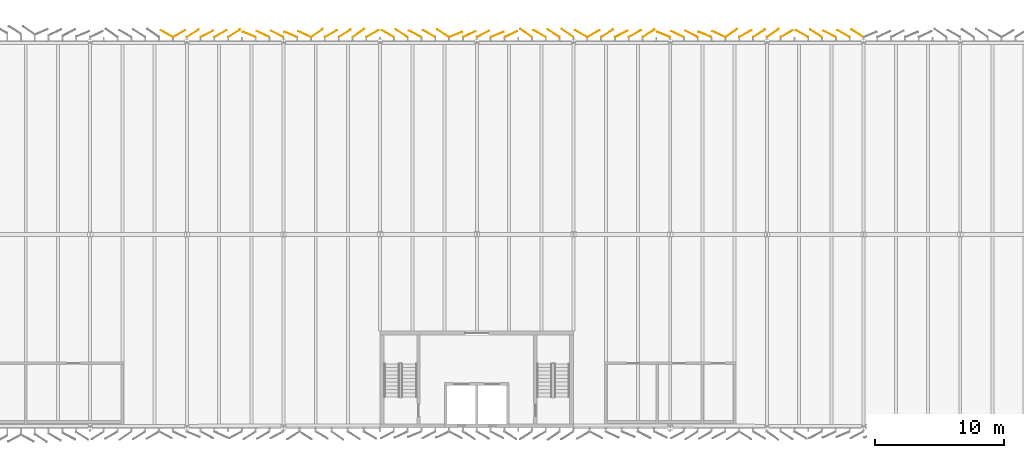
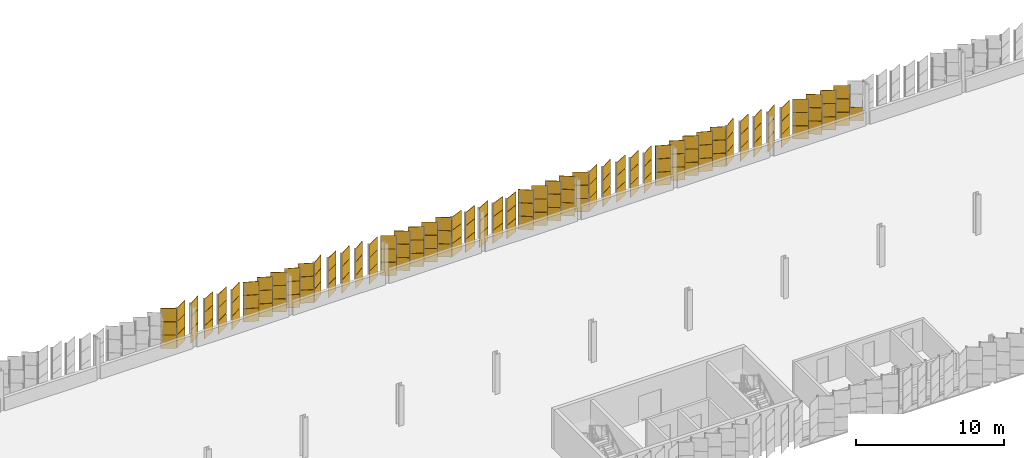
# One storey, part 212 of 214: 151 coverings.
"""IFC4 building model written with IfcOpenShell, lengths in metres."""

from ifc_helpers import new_model, si_unit, direction, frame, origin, origin_2d, place, context, subcontext, project, spatial, rectangle, extrude, material, layer, layer_set, type_object, element, save


model = new_model("IFC4")

# Units and contexts
model_context = context("Model", 3, precision=1e-05, world=origin(), true_north=direction((0.0, 1.0)))
body_context = subcontext(model_context, "Body", "Model", "MODEL_VIEW")
ifc_project = project(units=[si_unit("LENGTHUNIT", "METRE"), si_unit("AREAUNIT", "SQUARE_METRE"), si_unit("VOLUMEUNIT", "CUBIC_METRE"), si_unit("PLANEANGLEUNIT", "RADIAN"), si_unit("MASSUNIT", "GRAM", prefix="KILO")], contexts=[model_context])

# Site, building, storey
site_placement = place(None, origin())
site = spatial("IfcSite", under=ifc_project, at=site_placement, CompositionType="ELEMENT")
building_placement = place(site_placement, origin())
building = spatial("IfcBuilding", under=site, at=building_placement, Name="Parallax Yard Mobility Hub", CompositionType="ELEMENT")
storey_placement = place(building_placement, frame((0.0, 0.0, 3.300048828125)))
storey = spatial("IfcBuildingStorey", under=building, at=storey_placement, Name="L01", CompositionType="ELEMENT", Elevation=3.300048828125)

# Coverings
ifc_material_1 = material(Name="Aluminium panel, light oak finish", Category="aluminium")
ifc_layer_1 = layer(ifc_material_1, 0.030029296875)
ifc_layer_set_1 = layer_set([ifc_layer_1], Name="Skin panel 22.5 degree turn, oak finish")
covering_type_1 = type_object("IfcCoveringType", Name="Skin panel 22.5 degree turn, oak finish", PredefinedType="CLADDING", material=ifc_layer_set_1)
for number, where, z_axis, x_axis, name in (
    (1, (92.69287109375, 143.012939453125, 1.119873046875), (0.0, 0.0, 1.0), (-0.923879532511, 0.382683432365, 0.0), "Skin panel 22.5 bay 61.5 row 2 level L01"),
    (2, (92.69287109375, 143.012939453125, 2.219970703125), (0.0, 0.0, 1.0), (-0.923879532511, 0.382683432365, 0.0), "Skin panel 22.5 bay 61.5 row 3 level L01"),
    (3, (89.47802734375, 143.012939453125, 1.119873046875), (0.0, 0.0, 1.0), (-0.923879532511, 0.382683432365, 0.0), "Skin panel 22.5 bay 62.1 row 2 level L01"),
    (4, (89.47802734375, 143.012939453125, 2.219970703125), (0.0, 0.0, 1.0), (-0.923879532511, 0.382683432365, 0.0), "Skin panel 22.5 bay 62.1 row 3 level L01"),
    (5, (76.575927734375, 143.012939453125, 1.119873046875), (0.0, 0.0, 1.0), (0.923879532511, 0.382683432365, 0.0), "Skin panel 22.5 bay 63.6 row 2 level L01"),
    (6, (76.575927734375, 143.012939453125, 2.219970703125), (0.0, 0.0, 1.0), (0.923879532511, 0.382683432365, 0.0), "Skin panel 22.5 bay 63.6 row 3 level L01"),
    (7, (73.361083984375, 143.012939453125, 1.119873046875), (0.0, 0.0, 1.0), (0.923879532511, 0.382683432365, 0.0), "Skin panel 22.5 bay 64.2 row 2 level L01"),
    (8, (73.361083984375, 143.012939453125, 2.219970703125), (0.0, 0.0, 1.0), (0.923879532511, 0.382683432365, 0.0), "Skin panel 22.5 bay 64.2 row 3 level L01"),
    (9, (60.546142578125, 143.012939453125, 1.119873046875), (0.0, 0.0, 1.0), (-0.923879532511, 0.382683432365, 0.0), "Skin panel 22.5 bay 65.7 row 2 level L01"),
    (10, (60.546142578125, 143.012939453125, 2.219970703125), (0.0, 0.0, 1.0), (-0.923879532511, 0.382683432365, 0.0), "Skin panel 22.5 bay 65.7 row 3 level L01"),
    (11, (57.331298828125, 143.012939453125, 1.119873046875), (0.0, 0.0, 1.0), (-0.923879532511, 0.382683432365, 0.0), "Skin panel 22.5 bay 66.3 row 2 level L01"),
    (12, (57.331298828125, 143.012939453125, 2.219970703125), (0.0, 0.0, 1.0), (-0.923879532511, 0.382683432365, 0.0), "Skin panel 22.5 bay 66.3 row 3 level L01"),
):
    element("IfcCovering", number, at=place(storey_placement, frame(where, z_axis=z_axis, x_axis=x_axis)), inside=storey, type_object=covering_type_1, Name=name, ObjectType="SCREEN", PredefinedType="CLADDING", context=body_context, shape_type="SweptSolid", body=[
        extrude(rectangle(XDim=1.080078125, YDim=0.030029296875, at=origin_2d()), origin(), (0.0, 0.0, 1.0), 1.080078125),
    ])
ifc_material_2 = material(Name="Aluminium panel, walnut finish", Category="aluminium")
ifc_layer_2 = layer(ifc_material_2, 0.030029296875)
ifc_layer_set_2 = layer_set([ifc_layer_2], Name="Skin panel 22.5 degree turn, walnut finish")
covering_type_2 = type_object("IfcCoveringType", Name="Skin panel 22.5 degree turn, walnut finish", PredefinedType="CLADDING", material=ifc_layer_set_2)
for number, where, z_axis, x_axis, name in (
    (13, (92.69287109375, 143.012939453125, 0.02001953125), (0.0, 0.0, 1.0), (-0.923879532511, 0.382683432365, 0.0), "Skin panel 22.5 bay 61.5 row 1 level L01"),
    (14, (89.47802734375, 143.012939453125, 0.02001953125), (0.0, 0.0, 1.0), (-0.923879532511, 0.382683432365, 0.0), "Skin panel 22.5 bay 62.1 row 1 level L01"),
    (15, (76.575927734375, 143.012939453125, 0.02001953125), (0.0, 0.0, 1.0), (0.923879532511, 0.382683432365, 0.0), "Skin panel 22.5 bay 63.6 row 1 level L01"),
    (16, (73.361083984375, 143.012939453125, 0.02001953125), (0.0, 0.0, 1.0), (0.923879532511, 0.382683432365, 0.0), "Skin panel 22.5 bay 64.2 row 1 level L01"),
    (17, (60.546142578125, 143.012939453125, 0.02001953125), (0.0, 0.0, 1.0), (-0.923879532511, 0.382683432365, 0.0), "Skin panel 22.5 bay 65.7 row 1 level L01"),
    (18, (57.331298828125, 143.012939453125, 0.02001953125), (0.0, 0.0, 1.0), (-0.923879532511, 0.382683432365, 0.0), "Skin panel 22.5 bay 66.3 row 1 level L01"),
):
    element("IfcCovering", number, at=place(storey_placement, frame(where, z_axis=z_axis, x_axis=x_axis)), inside=storey, type_object=covering_type_2, Name=name, ObjectType="SCREEN", PredefinedType="CLADDING", context=body_context, shape_type="SweptSolid", body=[
        extrude(rectangle(XDim=1.080078125, YDim=0.030029296875, at=origin_2d()), origin(), (0.0, 0.0, 1.0), 1.080078125),
    ])
ifc_layer_3 = layer(ifc_material_1, 0.030029296875)
ifc_layer_set_3 = layer_set([ifc_layer_3], Name="Skin panel 25 degree turn, oak finish")
covering_type_3 = type_object("IfcCoveringType", Name="Skin panel 25 degree turn, oak finish", PredefinedType="CLADDING", material=ifc_layer_set_3)
for number, where, z_axis, x_axis, name in (
    (19, (93.774169921875, 143.03515625, 1.119873046875), (0.0, 0.0, 1.0), (-0.906307787037, 0.422618261741, 0.0), "Skin panel 25 bay 61.4 row 2 level L01"),
    (20, (93.774169921875, 143.03515625, 2.219970703125), (0.0, 0.0, 1.0), (-0.906307787037, 0.422618261741, 0.0), "Skin panel 25 bay 61.4 row 3 level L01"),
    (21, (90.559326171875, 143.03515625, 1.119873046875), (0.0, 0.0, 1.0), (-0.906307787037, 0.422618261741, 0.0), "Skin panel 25 bay 61.7 row 2 level L01"),
    (22, (90.559326171875, 143.03515625, 2.219970703125), (0.0, 0.0, 1.0), (-0.906307787037, 0.422618261741, 0.0), "Skin panel 25 bay 61.7 row 3 level L01"),
    (23, (77.6376953125, 143.03515625, 1.119873046875), (0.0, 0.0, 1.0), (0.906307787037, 0.422618261741, 0.0), "Skin panel 25 bay 63.5 row 2 level L01"),
    (24, (77.6376953125, 143.03515625, 2.219970703125), (0.0, 0.0, 1.0), (0.906307787037, 0.422618261741, 0.0), "Skin panel 25 bay 63.5 row 3 level L01"),
    (25, (74.423095703125, 143.03515625, 1.119873046875), (0.0, 0.0, 1.0), (0.906307787037, 0.422618261741, 0.0), "Skin panel 25 bay 64.1 row 2 level L01"),
    (26, (74.423095703125, 143.03515625, 2.219970703125), (0.0, 0.0, 1.0), (0.906307787037, 0.422618261741, 0.0), "Skin panel 25 bay 64.1 row 3 level L01"),
    (27, (61.62744140625, 143.03515625, 1.119873046875), (0.0, 0.0, 1.0), (-0.906307787037, 0.422618261741, 0.0), "Skin panel 25 bay 65.6 row 2 level L01"),
    (28, (61.62744140625, 143.03515625, 2.219970703125), (0.0, 0.0, 1.0), (-0.906307787037, 0.422618261741, 0.0), "Skin panel 25 bay 65.6 row 3 level L01"),
    (29, (58.412841796875, 143.03515625, 1.119873046875), (0.0, 0.0, 1.0), (-0.906307787037, 0.422618261741, 0.0), "Skin panel 25 bay 66.2 row 2 level L01"),
    (30, (58.412841796875, 143.03515625, 2.219970703125), (0.0, 0.0, 1.0), (-0.906307787037, 0.422618261741, 0.0), "Skin panel 25 bay 66.2 row 3 level L01"),
):
    element("IfcCovering", number, at=place(storey_placement, frame(where, z_axis=z_axis, x_axis=x_axis)), inside=storey, type_object=covering_type_3, Name=name, ObjectType="SCREEN", PredefinedType="CLADDING", context=body_context, shape_type="SweptSolid", body=[
        extrude(rectangle(XDim=1.080078125, YDim=0.030029296875, at=origin_2d()), origin(), (0.0, 0.0, 1.0), 1.080078125),
    ])
ifc_layer_4 = layer(ifc_material_2, 0.030029296875)
ifc_layer_set_4 = layer_set([ifc_layer_4], Name="Skin panel 25 degree turn, walnut finish")
covering_type_4 = type_object("IfcCoveringType", Name="Skin panel 25 degree turn, walnut finish", PredefinedType="CLADDING", material=ifc_layer_set_4)
for number, where, z_axis, x_axis, name in (
    (31, (93.774169921875, 143.03515625, 0.02001953125), (0.0, 0.0, 1.0), (-0.906307787037, 0.422618261741, 0.0), "Skin panel 25 bay 61.4 row 1 level L01"),
    (32, (90.559326171875, 143.03515625, 0.02001953125), (0.0, 0.0, 1.0), (-0.906307787037, 0.422618261741, 0.0), "Skin panel 25 bay 61.7 row 1 level L01"),
    (33, (77.6376953125, 143.03515625, 0.02001953125), (0.0, 0.0, 1.0), (0.906307787037, 0.422618261741, 0.0), "Skin panel 25 bay 63.5 row 1 level L01"),
    (34, (74.423095703125, 143.03515625, 0.02001953125), (0.0, 0.0, 1.0), (0.906307787037, 0.422618261741, 0.0), "Skin panel 25 bay 64.1 row 1 level L01"),
    (35, (61.62744140625, 143.03515625, 0.02001953125), (0.0, 0.0, 1.0), (-0.906307787037, 0.422618261741, 0.0), "Skin panel 25 bay 65.6 row 1 level L01"),
    (36, (58.412841796875, 143.03515625, 0.02001953125), (0.0, 0.0, 1.0), (-0.906307787037, 0.422618261741, 0.0), "Skin panel 25 bay 66.2 row 1 level L01"),
):
    element("IfcCovering", number, at=place(storey_placement, frame(where, z_axis=z_axis, x_axis=x_axis)), inside=storey, type_object=covering_type_4, Name=name, ObjectType="SCREEN", PredefinedType="CLADDING", context=body_context, shape_type="SweptSolid", body=[
        extrude(rectangle(XDim=1.080078125, YDim=0.030029296875, at=origin_2d()), origin(), (0.0, 0.0, 1.0), 1.080078125),
    ])
ifc_layer_5 = layer(ifc_material_1, 0.030029296875)
ifc_layer_set_5 = layer_set([ifc_layer_5], Name="Skin panel 27.5 degree turn, oak finish")
covering_type_5 = type_object("IfcCoveringType", Name="Skin panel 27.5 degree turn, oak finish", PredefinedType="CLADDING", material=ifc_layer_set_5)
for number, where, z_axis, x_axis, name in (
    (37, (102.357421875, 143.056884765625, 1.119873046875), (0.0, 0.0, 1.0), (-0.887010833178, 0.461748613235, 0.0), "Skin panel 27.5 bay 60.3 row 2 level L01"),
    (38, (102.357421875, 143.056884765625, 2.219970703125), (0.0, 0.0, 1.0), (-0.887010833178, 0.461748613235, 0.0), "Skin panel 27.5 bay 60.3 row 3 level L01"),
    (39, (91.6416015625, 143.056884765625, 1.119873046875), (0.0, 0.0, 1.0), (-0.887010833178, 0.461748613235, 0.0), "Skin panel 27.5 bay 61.6 row 2 level L01"),
    (40, (91.6416015625, 143.056884765625, 2.219970703125), (0.0, 0.0, 1.0), (-0.887010833178, 0.461748613235, 0.0), "Skin panel 27.5 bay 61.6 row 3 level L01"),
    (41, (86.199462890625, 143.056884765625, 1.119873046875), (0.0, 0.0, 1.0), (0.887010833178, 0.461748613235, 0.0), "Skin panel 27.5 bay 62.4 row 2 level L01"),
    (42, (86.199462890625, 143.056884765625, 2.219970703125), (0.0, 0.0, 1.0), (0.887010833178, 0.461748613235, 0.0), "Skin panel 27.5 bay 62.4 row 3 level L01"),
    (43, (75.48388671875, 143.056884765625, 1.119873046875), (0.0, 0.0, 1.0), (0.887010833178, 0.461748613235, 0.0), "Skin panel 27.5 bay 63.7 row 2 level L01"),
    (44, (75.48388671875, 143.056884765625, 2.219970703125), (0.0, 0.0, 1.0), (0.887010833178, 0.461748613235, 0.0), "Skin panel 27.5 bay 63.7 row 3 level L01"),
    (45, (70.210693359375, 143.056884765625, 1.119873046875), (0.0, 0.0, 1.0), (-0.887010833178, 0.461748613235, 0.0), "Skin panel 27.5 bay 64.5 row 2 level L01"),
    (46, (70.210693359375, 143.056884765625, 2.219970703125), (0.0, 0.0, 1.0), (-0.887010833178, 0.461748613235, 0.0), "Skin panel 27.5 bay 64.5 row 3 level L01"),
    (47, (59.4951171875, 143.056884765625, 1.119873046875), (0.0, 0.0, 1.0), (-0.887010833178, 0.461748613235, 0.0), "Skin panel 27.5 bay 66.1 row 2 level L01"),
    (48, (59.4951171875, 143.056884765625, 2.219970703125), (0.0, 0.0, 1.0), (-0.887010833178, 0.461748613235, 0.0), "Skin panel 27.5 bay 66.1 row 3 level L01"),
    (49, (54.052734375, 143.056884765625, 1.119873046875), (0.0, 0.0, 1.0), (0.887010833178, 0.461748613235, 0.0), "Skin panel 27.5 bay 66.6 row 2 level L01"),
    (50, (54.052734375, 143.056884765625, 2.219970703125), (0.0, 0.0, 1.0), (0.887010833178, 0.461748613235, 0.0), "Skin panel 27.5 bay 66.6 row 3 level L01"),
):
    element("IfcCovering", number, at=place(storey_placement, frame(where, z_axis=z_axis, x_axis=x_axis)), inside=storey, type_object=covering_type_5, Name=name, ObjectType="SCREEN", PredefinedType="CLADDING", context=body_context, shape_type="SweptSolid", body=[
        extrude(rectangle(XDim=1.080078125, YDim=0.030029296875, at=origin_2d()), origin(), (0.0, 0.0, 1.0), 1.080078125),
    ])
ifc_layer_6 = layer(ifc_material_2, 0.030029296875)
ifc_layer_set_6 = layer_set([ifc_layer_6], Name="Skin panel 27.5 degree turn, walnut finish")
covering_type_6 = type_object("IfcCoveringType", Name="Skin panel 27.5 degree turn, walnut finish", PredefinedType="CLADDING", material=ifc_layer_set_6)
for number, where, z_axis, x_axis, name in (
    (51, (102.357421875, 143.056884765625, 0.02001953125), (0.0, 0.0, 1.0), (-0.887010833178, 0.461748613235, 0.0), "Skin panel 27.5 bay 60.3 row 1 level L01"),
    (52, (91.6416015625, 143.056884765625, 0.02001953125), (0.0, 0.0, 1.0), (-0.887010833178, 0.461748613235, 0.0), "Skin panel 27.5 bay 61.6 row 1 level L01"),
    (53, (86.199462890625, 143.056884765625, 0.02001953125), (0.0, 0.0, 1.0), (0.887010833178, 0.461748613235, 0.0), "Skin panel 27.5 bay 62.4 row 1 level L01"),
    (54, (75.48388671875, 143.056884765625, 0.02001953125), (0.0, 0.0, 1.0), (0.887010833178, 0.461748613235, 0.0), "Skin panel 27.5 bay 63.7 row 1 level L01"),
    (55, (70.210693359375, 143.056884765625, 0.02001953125), (0.0, 0.0, 1.0), (-0.887010833178, 0.461748613235, 0.0), "Skin panel 27.5 bay 64.5 row 1 level L01"),
    (56, (59.4951171875, 143.056884765625, 0.02001953125), (0.0, 0.0, 1.0), (-0.887010833178, 0.461748613235, 0.0), "Skin panel 27.5 bay 66.1 row 1 level L01"),
    (57, (54.052734375, 143.056884765625, 0.02001953125), (0.0, 0.0, 1.0), (0.887010833178, 0.461748613235, 0.0), "Skin panel 27.5 bay 66.6 row 1 level L01"),
):
    element("IfcCovering", number, at=place(storey_placement, frame(where, z_axis=z_axis, x_axis=x_axis)), inside=storey, type_object=covering_type_6, Name=name, ObjectType="SCREEN", PredefinedType="CLADDING", context=body_context, shape_type="SweptSolid", body=[
        extrude(rectangle(XDim=1.080078125, YDim=0.030029296875, at=origin_2d()), origin(), (0.0, 0.0, 1.0), 1.080078125),
    ])
ifc_layer_7 = layer(ifc_material_1, 0.030029296875)
ifc_layer_set_7 = layer_set([ifc_layer_7], Name="Skin panel 30 degree turn, oak finish")
covering_type_7 = type_object("IfcCoveringType", Name="Skin panel 30 degree turn, oak finish", PredefinedType="CLADDING", material=ifc_layer_set_7)
for number, where, z_axis, x_axis, name in (
    (58, (103.4404296875, 143.078125, 1.119873046875), (0.0, 0.0, 1.0), (-0.866025403784, 0.5, 0.0), "Skin panel 30 bay 60.2 row 2 level L01"),
    (59, (103.4404296875, 143.078125, 2.219970703125), (0.0, 0.0, 1.0), (-0.866025403784, 0.5, 0.0), "Skin panel 30 bay 60.2 row 3 level L01"),
    (60, (100.225830078125, 143.078125, 1.119873046875), (0.0, 0.0, 1.0), (-0.866025403784, 0.5, 0.0), "Skin panel 30 bay 60.5 row 2 level L01"),
    (61, (100.225830078125, 143.078125, 2.219970703125), (0.0, 0.0, 1.0), (-0.866025403784, 0.5, 0.0), "Skin panel 30 bay 60.5 row 3 level L01"),
    (62, (99.04638671875, 143.078125, 1.119873046875), (0.0, 0.0, 1.0), (0.866025403784, 0.5, 0.0), "Skin panel 30 bay 60.6 row 2 level L01"),
    (63, (99.04638671875, 143.078125, 2.219970703125), (0.0, 0.0, 1.0), (0.866025403784, 0.5, 0.0), "Skin panel 30 bay 60.6 row 3 level L01"),
    (64, (95.831787109375, 143.078125, 1.119873046875), (0.0, 0.0, 1.0), (0.866025403784, 0.5, 0.0), "Skin panel 30 bay 61.2 row 2 level L01"),
    (65, (95.831787109375, 143.078125, 2.219970703125), (0.0, 0.0, 1.0), (0.866025403784, 0.5, 0.0), "Skin panel 30 bay 61.2 row 3 level L01"),
    (66, (87.25927734375, 143.078125, 1.119873046875), (0.0, 0.0, 1.0), (0.866025403784, 0.5, 0.0), "Skin panel 30 bay 62.3 row 2 level L01"),
    (67, (87.25927734375, 143.078125, 2.219970703125), (0.0, 0.0, 1.0), (0.866025403784, 0.5, 0.0), "Skin panel 30 bay 62.3 row 3 level L01"),
    (68, (84.044677734375, 143.078125, 1.119873046875), (0.0, 0.0, 1.0), (0.866025403784, 0.5, 0.0), "Skin panel 30 bay 62.6 row 2 level L01"),
    (69, (84.044677734375, 143.078125, 2.219970703125), (0.0, 0.0, 1.0), (0.866025403784, 0.5, 0.0), "Skin panel 30 bay 62.6 row 3 level L01"),
    (70, (83.0810546875, 143.078125, 1.119873046875), (0.0, 0.0, 1.0), (-0.866025403784, 0.5, 0.0), "Skin panel 30 bay 62.7 row 2 level L01"),
    (71, (83.0810546875, 143.078125, 2.219970703125), (0.0, 0.0, 1.0), (-0.866025403784, 0.5, 0.0), "Skin panel 30 bay 62.7 row 3 level L01"),
    (72, (79.8662109375, 143.078125, 1.119873046875), (0.0, 0.0, 1.0), (-0.866025403784, 0.5, 0.0), "Skin panel 30 bay 63.3 row 2 level L01"),
    (73, (79.8662109375, 143.078125, 2.219970703125), (0.0, 0.0, 1.0), (-0.866025403784, 0.5, 0.0), "Skin panel 30 bay 63.3 row 3 level L01"),
    (74, (71.293701171875, 143.078125, 1.119873046875), (0.0, 0.0, 1.0), (-0.866025403784, 0.5, 0.0), "Skin panel 30 bay 64.4 row 2 level L01"),
    (75, (71.293701171875, 143.078125, 2.219970703125), (0.0, 0.0, 1.0), (-0.866025403784, 0.5, 0.0), "Skin panel 30 bay 64.4 row 3 level L01"),
    (76, (68.0791015625, 143.078125, 1.119873046875), (0.0, 0.0, 1.0), (-0.866025403784, 0.5, 0.0), "Skin panel 30 bay 64.7 row 2 level L01"),
    (77, (68.0791015625, 143.078125, 2.219970703125), (0.0, 0.0, 1.0), (-0.866025403784, 0.5, 0.0), "Skin panel 30 bay 64.7 row 3 level L01"),
    (78, (66.899658203125, 143.078125, 1.119873046875), (0.0, 0.0, 1.0), (0.866025403784, 0.5, 0.0), "Skin panel 30 bay 65.1 row 2 level L01"),
    (79, (66.899658203125, 143.078125, 2.219970703125), (0.0, 0.0, 1.0), (0.866025403784, 0.5, 0.0), "Skin panel 30 bay 65.1 row 3 level L01"),
    (80, (63.68505859375, 143.078125, 1.119873046875), (0.0, 0.0, 1.0), (0.866025403784, 0.5, 0.0), "Skin panel 30 bay 65.4 row 2 level L01"),
    (81, (63.68505859375, 143.078125, 2.219970703125), (0.0, 0.0, 1.0), (0.866025403784, 0.5, 0.0), "Skin panel 30 bay 65.4 row 3 level L01"),
    (82, (55.112548828125, 143.078125, 1.119873046875), (0.0, 0.0, 1.0), (0.866025403784, 0.5, 0.0), "Skin panel 30 bay 66.5 row 2 level L01"),
    (83, (55.112548828125, 143.078125, 2.219970703125), (0.0, 0.0, 1.0), (0.866025403784, 0.5, 0.0), "Skin panel 30 bay 66.5 row 3 level L01"),
    (84, (51.89794921875, 143.078125, 1.119873046875), (0.0, 0.0, 1.0), (0.866025403784, 0.5, 0.0), "Skin panel 30 bay 67.1 row 2 level L01"),
    (85, (51.89794921875, 143.078125, 2.219970703125), (0.0, 0.0, 1.0), (0.866025403784, 0.5, 0.0), "Skin panel 30 bay 67.1 row 3 level L01"),
    (86, (50.934326171875, 143.078125, 1.119873046875), (0.0, 0.0, 1.0), (-0.866025403784, 0.5, 0.0), "Skin panel 30 bay 67.2 row 2 level L01"),
    (87, (50.934326171875, 143.078125, 2.219970703125), (0.0, 0.0, 1.0), (-0.866025403784, 0.5, 0.0), "Skin panel 30 bay 67.2 row 3 level L01"),
):
    element("IfcCovering", number, at=place(storey_placement, frame(where, z_axis=z_axis, x_axis=x_axis)), inside=storey, type_object=covering_type_7, Name=name, ObjectType="SCREEN", PredefinedType="CLADDING", context=body_context, shape_type="SweptSolid", body=[
        extrude(rectangle(XDim=1.080078125, YDim=0.030029296875, at=origin_2d()), origin(), (0.0, 0.0, 1.0), 1.080078125),
    ])
ifc_layer_8 = layer(ifc_material_2, 0.030029296875)
ifc_layer_set_8 = layer_set([ifc_layer_8], Name="Skin panel 30 degree turn, walnut finish")
covering_type_8 = type_object("IfcCoveringType", Name="Skin panel 30 degree turn, walnut finish", PredefinedType="CLADDING", material=ifc_layer_set_8)
for number, where, z_axis, x_axis, name in (
    (88, (103.4404296875, 143.078125, 0.02001953125), (0.0, 0.0, 1.0), (-0.866025403784, 0.5, 0.0), "Skin panel 30 bay 60.2 row 1 level L01"),
    (89, (100.225830078125, 143.078125, 0.02001953125), (0.0, 0.0, 1.0), (-0.866025403784, 0.5, 0.0), "Skin panel 30 bay 60.5 row 1 level L01"),
    (90, (99.04638671875, 143.078125, 0.02001953125), (0.0, 0.0, 1.0), (0.866025403784, 0.5, 0.0), "Skin panel 30 bay 60.6 row 1 level L01"),
    (91, (95.831787109375, 143.078125, 0.02001953125), (0.0, 0.0, 1.0), (0.866025403784, 0.5, 0.0), "Skin panel 30 bay 61.2 row 1 level L01"),
    (92, (87.25927734375, 143.078125, 0.02001953125), (0.0, 0.0, 1.0), (0.866025403784, 0.5, 0.0), "Skin panel 30 bay 62.3 row 1 level L01"),
    (93, (84.044677734375, 143.078125, 0.02001953125), (0.0, 0.0, 1.0), (0.866025403784, 0.5, 0.0), "Skin panel 30 bay 62.6 row 1 level L01"),
    (94, (83.0810546875, 143.078125, 0.02001953125), (0.0, 0.0, 1.0), (-0.866025403784, 0.5, 0.0), "Skin panel 30 bay 62.7 row 1 level L01"),
    (95, (79.8662109375, 143.078125, 0.02001953125), (0.0, 0.0, 1.0), (-0.866025403784, 0.5, 0.0), "Skin panel 30 bay 63.3 row 1 level L01"),
    (96, (71.293701171875, 143.078125, 0.02001953125), (0.0, 0.0, 1.0), (-0.866025403784, 0.5, 0.0), "Skin panel 30 bay 64.4 row 1 level L01"),
    (97, (68.0791015625, 143.078125, 0.02001953125), (0.0, 0.0, 1.0), (-0.866025403784, 0.5, 0.0), "Skin panel 30 bay 64.7 row 1 level L01"),
    (98, (66.899658203125, 143.078125, 0.02001953125), (0.0, 0.0, 1.0), (0.866025403784, 0.5, 0.0), "Skin panel 30 bay 65.1 row 1 level L01"),
    (99, (63.68505859375, 143.078125, 0.02001953125), (0.0, 0.0, 1.0), (0.866025403784, 0.5, 0.0), "Skin panel 30 bay 65.4 row 1 level L01"),
    (100, (55.112548828125, 143.078125, 0.02001953125), (0.0, 0.0, 1.0), (0.866025403784, 0.5, 0.0), "Skin panel 30 bay 66.5 row 1 level L01"),
    (101, (51.89794921875, 143.078125, 0.02001953125), (0.0, 0.0, 1.0), (0.866025403784, 0.5, 0.0), "Skin panel 30 bay 67.1 row 1 level L01"),
    (102, (50.934326171875, 143.078125, 0.02001953125), (0.0, 0.0, 1.0), (-0.866025403784, 0.5, 0.0), "Skin panel 30 bay 67.2 row 1 level L01"),
):
    element("IfcCovering", number, at=place(storey_placement, frame(where, z_axis=z_axis, x_axis=x_axis)), inside=storey, type_object=covering_type_8, Name=name, ObjectType="SCREEN", PredefinedType="CLADDING", context=body_context, shape_type="SweptSolid", body=[
        extrude(rectangle(XDim=1.080078125, YDim=0.030029296875, at=origin_2d()), origin(), (0.0, 0.0, 1.0), 1.080078125),
    ])
ifc_layer_9 = layer(ifc_material_1, 0.030029296875)
ifc_layer_set_9 = layer_set([ifc_layer_9], Name="Skin panel 32.5 degree turn, oak finish")
covering_type_9 = type_object("IfcCoveringType", Name="Skin panel 32.5 degree turn, oak finish", PredefinedType="CLADDING", material=ifc_layer_set_9)
for number, where, z_axis, x_axis, name in (
    (103, (101.31005859375, 143.098876953125, 1.119873046875), (0.0, 0.0, 1.0), (-0.843391445813, 0.537299608347, 0.0), "Skin panel 32.5 bay 60.4 row 2 level L01"),
    (104, (101.31005859375, 143.098876953125, 2.219970703125), (0.0, 0.0, 1.0), (-0.843391445813, 0.537299608347, 0.0), "Skin panel 32.5 bay 60.4 row 3 level L01"),
    (105, (96.890625, 143.098876953125, 1.119873046875), (0.0, 0.0, 1.0), (0.843391445813, 0.537299608347, 0.0), "Skin panel 32.5 bay 61.1 row 2 level L01"),
    (106, (96.890625, 143.098876953125, 2.219970703125), (0.0, 0.0, 1.0), (0.843391445813, 0.537299608347, 0.0), "Skin panel 32.5 bay 61.1 row 3 level L01"),
    (107, (88.318115234375, 143.098876953125, 1.119873046875), (0.0, 0.0, 1.0), (0.843391445813, 0.537299608347, 0.0), "Skin panel 32.5 bay 62.2 row 2 level L01"),
    (108, (88.318115234375, 143.098876953125, 2.219970703125), (0.0, 0.0, 1.0), (0.843391445813, 0.537299608347, 0.0), "Skin panel 32.5 bay 62.2 row 3 level L01"),
    (109, (85.103515625, 143.098876953125, 1.119873046875), (0.0, 0.0, 1.0), (0.843391445813, 0.537299608347, 0.0), "Skin panel 32.5 bay 62.5 row 2 level L01"),
    (110, (85.103515625, 143.098876953125, 2.219970703125), (0.0, 0.0, 1.0), (0.843391445813, 0.537299608347, 0.0), "Skin panel 32.5 bay 62.5 row 3 level L01"),
    (111, (80.950439453125, 143.098876953125, 1.119873046875), (0.0, 0.0, 1.0), (-0.843391445813, 0.537299608347, 0.0), "Skin panel 32.5 bay 63.2 row 2 level L01"),
    (112, (80.950439453125, 143.098876953125, 2.219970703125), (0.0, 0.0, 1.0), (-0.843391445813, 0.537299608347, 0.0), "Skin panel 32.5 bay 63.2 row 3 level L01"),
    (113, (72.3779296875, 143.098876953125, 1.119873046875), (0.0, 0.0, 1.0), (-0.843391445813, 0.537299608347, 0.0), "Skin panel 32.5 bay 64.3 row 2 level L01"),
    (114, (72.3779296875, 143.098876953125, 2.219970703125), (0.0, 0.0, 1.0), (-0.843391445813, 0.537299608347, 0.0), "Skin panel 32.5 bay 64.3 row 3 level L01"),
    (115, (69.163330078125, 143.098876953125, 1.119873046875), (0.0, 0.0, 1.0), (-0.843391445813, 0.537299608347, 0.0), "Skin panel 32.5 bay 64.6 row 2 level L01"),
    (116, (69.163330078125, 143.098876953125, 2.219970703125), (0.0, 0.0, 1.0), (-0.843391445813, 0.537299608347, 0.0), "Skin panel 32.5 bay 64.6 row 3 level L01"),
    (117, (64.743896484375, 143.098876953125, 1.119873046875), (0.0, 0.0, 1.0), (0.843391445813, 0.537299608347, 0.0), "Skin panel 32.5 bay 65.3 row 2 level L01"),
    (118, (64.743896484375, 143.098876953125, 2.219970703125), (0.0, 0.0, 1.0), (0.843391445813, 0.537299608347, 0.0), "Skin panel 32.5 bay 65.3 row 3 level L01"),
    (119, (56.17138671875, 143.098876953125, 1.119873046875), (0.0, 0.0, 1.0), (0.843391445813, 0.537299608347, 0.0), "Skin panel 32.5 bay 66.4 row 2 level L01"),
    (120, (56.17138671875, 143.098876953125, 2.219970703125), (0.0, 0.0, 1.0), (0.843391445813, 0.537299608347, 0.0), "Skin panel 32.5 bay 66.4 row 3 level L01"),
    (121, (52.956787109375, 143.098876953125, 1.119873046875), (0.0, 0.0, 1.0), (0.843391445813, 0.537299608347, 0.0), "Skin panel 32.5 bay 66.7 row 2 level L01"),
    (122, (52.956787109375, 143.098876953125, 2.219970703125), (0.0, 0.0, 1.0), (0.843391445813, 0.537299608347, 0.0), "Skin panel 32.5 bay 66.7 row 3 level L01"),
):
    element("IfcCovering", number, at=place(storey_placement, frame(where, z_axis=z_axis, x_axis=x_axis)), inside=storey, type_object=covering_type_9, Name=name, ObjectType="SCREEN", PredefinedType="CLADDING", context=body_context, shape_type="SweptSolid", body=[
        extrude(rectangle(XDim=1.080078125, YDim=0.030029296875, at=origin_2d()), origin(), (0.0, 0.0, 1.0), 1.080078125),
    ])
ifc_layer_10 = layer(ifc_material_2, 0.030029296875)
ifc_layer_set_10 = layer_set([ifc_layer_10], Name="Skin panel 32.5 degree turn, walnut finish")
covering_type_10 = type_object("IfcCoveringType", Name="Skin panel 32.5 degree turn, walnut finish", PredefinedType="CLADDING", material=ifc_layer_set_10)
for number, where, z_axis, x_axis, name in (
    (123, (104.524658203125, 143.098876953125, 0.02001953125), (0.0, 0.0, 1.0), (-0.843391445813, 0.537299608347, 0.0), "Skin panel 32.5 bay 60.1 row 1 level L01"),
    (124, (101.31005859375, 143.098876953125, 0.02001953125), (0.0, 0.0, 1.0), (-0.843391445813, 0.537299608347, 0.0), "Skin panel 32.5 bay 60.4 row 1 level L01"),
    (125, (96.890625, 143.098876953125, 0.02001953125), (0.0, 0.0, 1.0), (0.843391445813, 0.537299608347, 0.0), "Skin panel 32.5 bay 61.1 row 1 level L01"),
    (126, (88.318115234375, 143.098876953125, 0.02001953125), (0.0, 0.0, 1.0), (0.843391445813, 0.537299608347, 0.0), "Skin panel 32.5 bay 62.2 row 1 level L01"),
    (127, (85.103515625, 143.098876953125, 0.02001953125), (0.0, 0.0, 1.0), (0.843391445813, 0.537299608347, 0.0), "Skin panel 32.5 bay 62.5 row 1 level L01"),
    (128, (80.950439453125, 143.098876953125, 0.02001953125), (0.0, 0.0, 1.0), (-0.843391445813, 0.537299608347, 0.0), "Skin panel 32.5 bay 63.2 row 1 level L01"),
    (129, (72.3779296875, 143.098876953125, 0.02001953125), (0.0, 0.0, 1.0), (-0.843391445813, 0.537299608347, 0.0), "Skin panel 32.5 bay 64.3 row 1 level L01"),
    (130, (69.163330078125, 143.098876953125, 0.02001953125), (0.0, 0.0, 1.0), (-0.843391445813, 0.537299608347, 0.0), "Skin panel 32.5 bay 64.6 row 1 level L01"),
    (131, (64.743896484375, 143.098876953125, 0.02001953125), (0.0, 0.0, 1.0), (0.843391445813, 0.537299608347, 0.0), "Skin panel 32.5 bay 65.3 row 1 level L01"),
    (132, (56.17138671875, 143.098876953125, 0.02001953125), (0.0, 0.0, 1.0), (0.843391445813, 0.537299608347, 0.0), "Skin panel 32.5 bay 66.4 row 1 level L01"),
    (133, (52.956787109375, 143.098876953125, 0.02001953125), (0.0, 0.0, 1.0), (0.843391445813, 0.537299608347, 0.0), "Skin panel 32.5 bay 66.7 row 1 level L01"),
):
    element("IfcCovering", number, at=place(storey_placement, frame(where, z_axis=z_axis, x_axis=x_axis)), inside=storey, type_object=covering_type_10, Name=name, ObjectType="SCREEN", PredefinedType="CLADDING", context=body_context, shape_type="SweptSolid", body=[
        extrude(rectangle(XDim=1.080078125, YDim=0.030029296875, at=origin_2d()), origin(), (0.0, 0.0, 1.0), 1.080078125),
    ])
ifc_layer_11 = layer(ifc_material_1, 0.030029296875)
ifc_layer_set_11 = layer_set([ifc_layer_11], Name="Skin panel 35 degree turn, oak finish")
covering_type_11 = type_object("IfcCoveringType", Name="Skin panel 35 degree turn, oak finish", PredefinedType="CLADDING", material=ifc_layer_set_11)
for number, where, z_axis, x_axis, name in (
    (134, (97.94873046875, 143.119140625, 1.119873046875), (0.0, 0.0, 1.0), (0.819152044289, 0.573576436351, 0.0), "Skin panel 35 bay 60.7 row 2 level L01"),
    (135, (97.94873046875, 143.119140625, 2.219970703125), (0.0, 0.0, 1.0), (0.819152044289, 0.573576436351, 0.0), "Skin panel 35 bay 60.7 row 3 level L01"),
    (136, (94.734130859375, 143.119140625, 1.119873046875), (0.0, 0.0, 1.0), (0.819152044289, 0.573576436351, 0.0), "Skin panel 35 bay 61.3 row 2 level L01"),
    (137, (94.734130859375, 143.119140625, 2.219970703125), (0.0, 0.0, 1.0), (0.819152044289, 0.573576436351, 0.0), "Skin panel 35 bay 61.3 row 3 level L01"),
    (138, (82.035400390625, 143.119140625, 1.119873046875), (0.0, 0.0, 1.0), (-0.819152044289, 0.573576436351, 0.0), "Skin panel 35 bay 63.1 row 2 level L01"),
    (139, (82.035400390625, 143.119140625, 2.219970703125), (0.0, 0.0, 1.0), (-0.819152044289, 0.573576436351, 0.0), "Skin panel 35 bay 63.1 row 3 level L01"),
    (140, (78.82080078125, 143.119140625, 1.119873046875), (0.0, 0.0, 1.0), (-0.819152044289, 0.573576436351, 0.0), "Skin panel 35 bay 63.4 row 2 level L01"),
    (141, (78.82080078125, 143.119140625, 2.219970703125), (0.0, 0.0, 1.0), (-0.819152044289, 0.573576436351, 0.0), "Skin panel 35 bay 63.4 row 3 level L01"),
    (142, (65.802001953125, 143.119140625, 1.119873046875), (0.0, 0.0, 1.0), (0.819152044289, 0.573576436351, 0.0), "Skin panel 35 bay 65.2 row 2 level L01"),
    (143, (65.802001953125, 143.119140625, 2.219970703125), (0.0, 0.0, 1.0), (0.819152044289, 0.573576436351, 0.0), "Skin panel 35 bay 65.2 row 3 level L01"),
    (144, (62.58740234375, 143.119140625, 1.119873046875), (0.0, 0.0, 1.0), (0.819152044289, 0.573576436351, 0.0), "Skin panel 35 bay 65.5 row 2 level L01"),
    (145, (62.58740234375, 143.119140625, 2.219970703125), (0.0, 0.0, 1.0), (0.819152044289, 0.573576436351, 0.0), "Skin panel 35 bay 65.5 row 3 level L01"),
):
    element("IfcCovering", number, at=place(storey_placement, frame(where, z_axis=z_axis, x_axis=x_axis)), inside=storey, type_object=covering_type_11, Name=name, ObjectType="SCREEN", PredefinedType="CLADDING", context=body_context, shape_type="SweptSolid", body=[
        extrude(rectangle(XDim=1.080078125, YDim=0.030029296875, at=origin_2d()), origin(), (0.0, 0.0, 1.0), 1.080078125),
    ])
ifc_layer_12 = layer(ifc_material_2, 0.030029296875)
ifc_layer_set_12 = layer_set([ifc_layer_12], Name="Skin panel 35 degree turn, walnut finish")
covering_type_12 = type_object("IfcCoveringType", Name="Skin panel 35 degree turn, walnut finish", PredefinedType="CLADDING", material=ifc_layer_set_12)
for number, where, z_axis, x_axis, name in (
    (146, (97.94873046875, 143.119140625, 0.02001953125), (0.0, 0.0, 1.0), (0.819152044289, 0.573576436351, 0.0), "Skin panel 35 bay 60.7 row 1 level L01"),
    (147, (94.734130859375, 143.119140625, 0.02001953125), (0.0, 0.0, 1.0), (0.819152044289, 0.573576436351, 0.0), "Skin panel 35 bay 61.3 row 1 level L01"),
    (148, (82.035400390625, 143.119140625, 0.02001953125), (0.0, 0.0, 1.0), (-0.819152044289, 0.573576436351, 0.0), "Skin panel 35 bay 63.1 row 1 level L01"),
    (149, (78.82080078125, 143.119140625, 0.02001953125), (0.0, 0.0, 1.0), (-0.819152044289, 0.573576436351, 0.0), "Skin panel 35 bay 63.4 row 1 level L01"),
    (150, (65.802001953125, 143.119140625, 0.02001953125), (0.0, 0.0, 1.0), (0.819152044289, 0.573576436351, 0.0), "Skin panel 35 bay 65.2 row 1 level L01"),
    (151, (62.58740234375, 143.119140625, 0.02001953125), (0.0, 0.0, 1.0), (0.819152044289, 0.573576436351, 0.0), "Skin panel 35 bay 65.5 row 1 level L01"),
):
    element("IfcCovering", number, at=place(storey_placement, frame(where, z_axis=z_axis, x_axis=x_axis)), inside=storey, type_object=covering_type_12, Name=name, ObjectType="SCREEN", PredefinedType="CLADDING", context=body_context, shape_type="SweptSolid", body=[
        extrude(rectangle(XDim=1.080078125, YDim=0.030029296875, at=origin_2d()), origin(), (0.0, 0.0, 1.0), 1.080078125),
    ])

save(model, "model.ifc")
